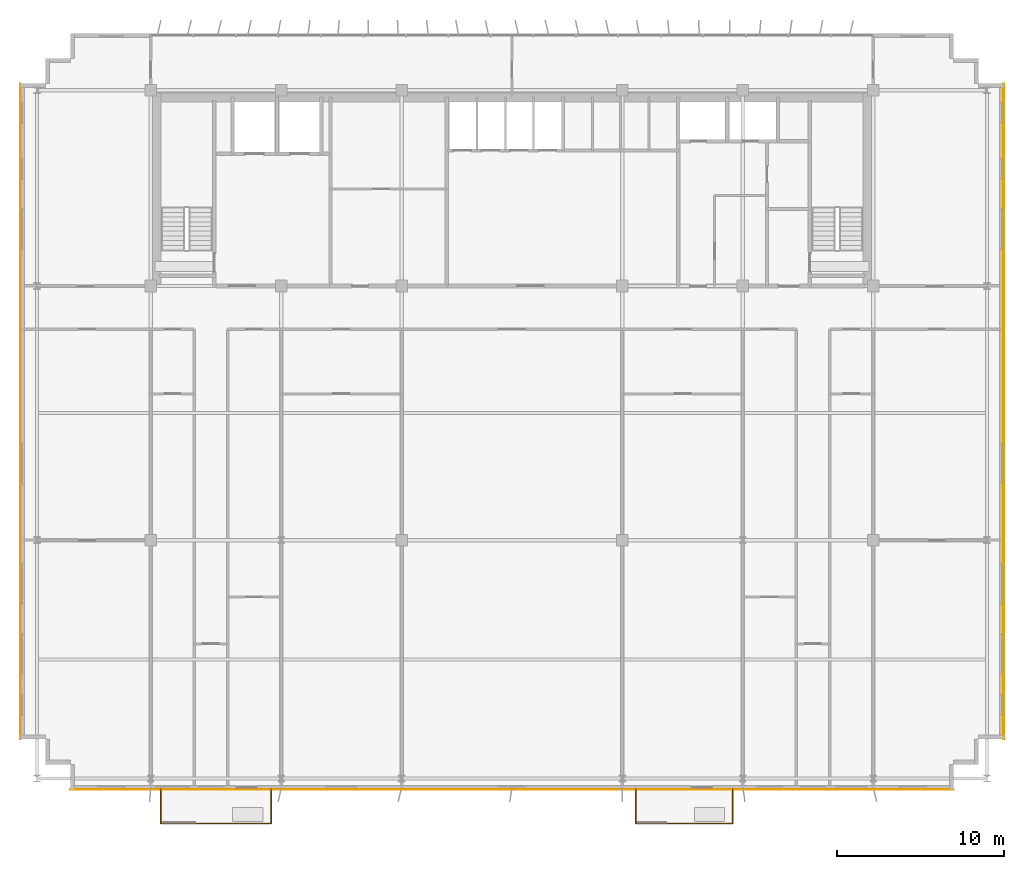
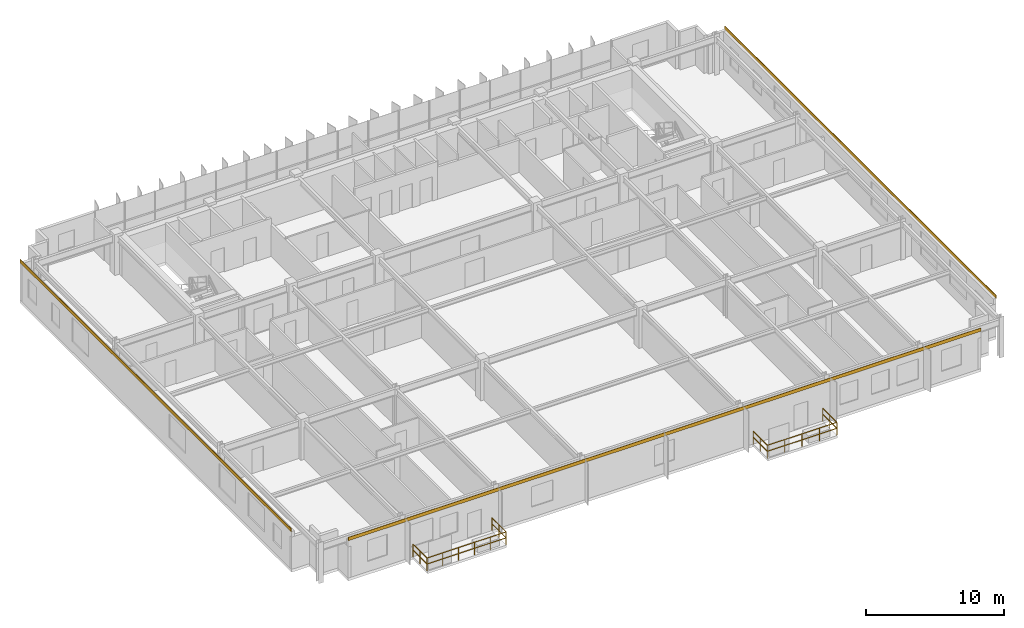
# One storey, part 19 of 20: 6 railings, 3 coverings.
"""IFC4 building model written with IfcOpenShell, lengths in metres."""

from ifc_helpers import new_model, si_unit, direction, frame, origin, origin_2d, place, context, subcontext, project, spatial, rectangle, extrude, source, transform, mapped, material, layer, layer_set, type_object, element, save


model = new_model("IFC4")

# Units and contexts
model_context = context("Model", 3, precision=1e-05, world=origin(), true_north=direction((0.0, 1.0)))
body_context = subcontext(model_context, "Body", "Model", "MODEL_VIEW")
ifc_project = project(units=[si_unit("LENGTHUNIT", "METRE"), si_unit("AREAUNIT", "SQUARE_METRE"), si_unit("VOLUMEUNIT", "CUBIC_METRE"), si_unit("PLANEANGLEUNIT", "RADIAN"), si_unit("MASSUNIT", "GRAM", prefix="KILO")], contexts=[model_context])

# Site, building, storey
site_placement = place(None, origin())
site = spatial("IfcSite", under=ifc_project, at=site_placement, CompositionType="ELEMENT")
building_placement = place(site_placement, origin())
building = spatial("IfcBuilding", under=site, at=building_placement, Name="Trelvane Seafront Commons", CompositionType="ELEMENT")
storey_placement = place(building_placement, frame((0.0, 0.0, 150.10009765625)))
storey = spatial("IfcBuildingStorey", under=building, at=storey_placement, Name="L39", CompositionType="ELEMENT", Elevation=150.10009765625)

# Railings
ifc_material_1 = material(Name="Stainless steel balustrade", Category="steel")
railing_type = type_object("IfcRailingType", Name="ARCH-RAIL-BAL1150", PredefinedType="BALUSTRADE", material=ifc_material_1)
railing_1_placement = place(storey_placement, frame((16.199951171875, 3.300048828125, 0.0)))
element("IfcRailing", 1, at=railing_1_placement, inside=storey, type_object=railing_type, Name="RL-L39-BAL0-01", PredefinedType="BALUSTRADE", context=body_context, shape_type="SweptSolid", body=[
    extrude(rectangle(XDim=0.048095703125, YDim=0.048095703125, at=origin_2d()), frame((0.0, 0.0, 1.1259765625), z_axis=(0.0, -1.0, 0.0), x_axis=(1.0, 0.0, 0.0)), (0.0, 0.0, 1.0), 2.0400390625),
    extrude(rectangle(XDim=0.048095703125, YDim=0.048095703125, at=origin_2d()), frame((0.0, 0.0, 0.597900390625), z_axis=(0.0, -1.0, 0.0), x_axis=(1.0, 0.0, 0.0)), (0.0, 0.0, 1.0), 2.0400390625),
    extrude(rectangle(XDim=0.0419921875, YDim=0.0419921875, at=origin_2d()), origin(), (0.0, 0.0, 1.0), 1.1259765625),
    extrude(rectangle(XDim=0.0419921875, YDim=0.0419921875, at=origin_2d()), frame((0.0, -1.02001953125, 0.0)), (0.0, 0.0, 1.0), 1.1259765625),
    extrude(rectangle(XDim=0.0419921875, YDim=0.0419921875, at=origin_2d()), frame((0.0, -2.0400390625, 0.0)), (0.0, 0.0, 1.0), 1.1259765625),
])
railing_2_placement = place(storey_placement, frame((16.199951171875, 1.260009765625, 0.0)))
element("IfcRailing", 2, at=railing_2_placement, inside=storey, type_object=railing_type, Name="RL-L39-BAL0-02", PredefinedType="BALUSTRADE", context=body_context, shape_type="SweptSolid", body=[
    extrude(rectangle(XDim=0.048095703125, YDim=0.048095703125, at=origin_2d()), frame((0.0, 0.0, 1.1259765625), z_axis=(1.0, 0.0, 0.0), x_axis=(0.0, 1.0, 0.0)), (0.0, 0.0, 1.0), 6.60009765625),
    extrude(rectangle(XDim=0.048095703125, YDim=0.048095703125, at=origin_2d()), frame((0.0, 0.0, 0.597900390625), z_axis=(1.0, 0.0, 0.0), x_axis=(0.0, 1.0, 0.0)), (0.0, 0.0, 1.0), 6.60009765625),
    extrude(rectangle(XDim=0.0419921875, YDim=0.0419921875, at=origin_2d()), origin(), (0.0, 0.0, 1.0), 1.1259765625),
    extrude(rectangle(XDim=0.0419921875, YDim=0.0419921875, at=origin_2d()), frame((1.320068359375, 0.0, 0.0)), (0.0, 0.0, 1.0), 1.1259765625),
    extrude(rectangle(XDim=0.0419921875, YDim=0.0419921875, at=origin_2d()), frame((2.64013671875, 0.0, 0.0)), (0.0, 0.0, 1.0), 1.1259765625),
    extrude(rectangle(XDim=0.0419921875, YDim=0.0419921875, at=origin_2d()), frame((3.9599609375, 0.0, 0.0)), (0.0, 0.0, 1.0), 1.1259765625),
    extrude(rectangle(XDim=0.0419921875, YDim=0.0419921875, at=origin_2d()), frame((5.280029296875, 0.0, 0.0)), (0.0, 0.0, 1.0), 1.1259765625),
    extrude(rectangle(XDim=0.0419921875, YDim=0.0419921875, at=origin_2d()), frame((6.60009765625, 0.0, 0.0)), (0.0, 0.0, 1.0), 1.1259765625),
])
railing_3_placement = place(storey_placement, frame((22.800048828125, 1.260009765625, 0.0)))
element("IfcRailing", 3, at=railing_3_placement, inside=storey, type_object=railing_type, Name="RL-L39-BAL0-03", PredefinedType="BALUSTRADE", context=body_context, shape_type="SweptSolid", body=[
    extrude(rectangle(XDim=0.048095703125, YDim=0.048095703125, at=origin_2d()), frame((0.0, 0.0, 1.1259765625), z_axis=(0.0, 1.0, 0.0), x_axis=(-1.0, 0.0, 0.0)), (0.0, 0.0, 1.0), 2.0400390625),
    extrude(rectangle(XDim=0.048095703125, YDim=0.048095703125, at=origin_2d()), frame((0.0, 0.0, 0.597900390625), z_axis=(0.0, 1.0, 0.0), x_axis=(-1.0, 0.0, 0.0)), (0.0, 0.0, 1.0), 2.0400390625),
    extrude(rectangle(XDim=0.0419921875, YDim=0.0419921875, at=origin_2d()), origin(), (0.0, 0.0, 1.0), 1.1259765625),
    extrude(rectangle(XDim=0.0419921875, YDim=0.0419921875, at=origin_2d()), frame((0.0, 1.02001953125, 0.0)), (0.0, 0.0, 1.0), 1.1259765625),
    extrude(rectangle(XDim=0.0419921875, YDim=0.0419921875, at=origin_2d()), frame((0.0, 2.0400390625, 0.0)), (0.0, 0.0, 1.0), 1.1259765625),
])
railing_4_placement = place(storey_placement, frame((44.60009765625, 3.300048828125, 0.0)))
element("IfcRailing", 4, at=railing_4_placement, inside=storey, type_object=railing_type, Name="RL-L39-BAL1-01", PredefinedType="BALUSTRADE", context=body_context, shape_type="SweptSolid", body=[
    extrude(rectangle(XDim=0.048095703125, YDim=0.048095703125, at=origin_2d()), frame((0.0, 0.0, 1.1259765625), z_axis=(0.0, -1.0, 0.0), x_axis=(1.0, 0.0, 0.0)), (0.0, 0.0, 1.0), 2.0400390625),
    extrude(rectangle(XDim=0.048095703125, YDim=0.048095703125, at=origin_2d()), frame((0.0, 0.0, 0.597900390625), z_axis=(0.0, -1.0, 0.0), x_axis=(1.0, 0.0, 0.0)), (0.0, 0.0, 1.0), 2.0400390625),
    extrude(rectangle(XDim=0.0419921875, YDim=0.0419921875, at=origin_2d()), origin(), (0.0, 0.0, 1.0), 1.1259765625),
    extrude(rectangle(XDim=0.0419921875, YDim=0.0419921875, at=origin_2d()), frame((0.0, -1.02001953125, 0.0)), (0.0, 0.0, 1.0), 1.1259765625),
    extrude(rectangle(XDim=0.0419921875, YDim=0.0419921875, at=origin_2d()), frame((0.0, -2.0400390625, 0.0)), (0.0, 0.0, 1.0), 1.1259765625),
])
railing_5_placement = place(storey_placement, frame((44.60009765625, 1.260009765625, 0.0)))
element("IfcRailing", 5, at=railing_5_placement, inside=storey, type_object=railing_type, Name="RL-L39-BAL1-02", PredefinedType="BALUSTRADE", context=body_context, shape_type="SweptSolid", body=[
    extrude(rectangle(XDim=0.048095703125, YDim=0.048095703125, at=origin_2d()), frame((0.0, 0.0, 1.1259765625), z_axis=(1.0, 0.0, 0.0), x_axis=(0.0, 1.0, 0.0)), (0.0, 0.0, 1.0), 5.7998046875),
    extrude(rectangle(XDim=0.048095703125, YDim=0.048095703125, at=origin_2d()), frame((0.0, 0.0, 0.597900390625), z_axis=(1.0, 0.0, 0.0), x_axis=(0.0, 1.0, 0.0)), (0.0, 0.0, 1.0), 5.7998046875),
    extrude(rectangle(XDim=0.0419921875, YDim=0.0419921875, at=origin_2d()), origin(), (0.0, 0.0, 1.0), 1.1259765625),
    extrude(rectangle(XDim=0.0419921875, YDim=0.0419921875, at=origin_2d()), frame((1.449951171875, 0.0, 0.0)), (0.0, 0.0, 1.0), 1.1259765625),
    extrude(rectangle(XDim=0.0419921875, YDim=0.0419921875, at=origin_2d()), frame((2.89990234375, 0.0, 0.0)), (0.0, 0.0, 1.0), 1.1259765625),
    extrude(rectangle(XDim=0.0419921875, YDim=0.0419921875, at=origin_2d()), frame((4.349853515625, 0.0, 0.0)), (0.0, 0.0, 1.0), 1.1259765625),
    extrude(rectangle(XDim=0.0419921875, YDim=0.0419921875, at=origin_2d()), frame((5.7998046875, 0.0, 0.0)), (0.0, 0.0, 1.0), 1.1259765625),
])
railing_6_placement = place(storey_placement, frame((50.39990234375, 1.260009765625, 0.0)))
element("IfcRailing", 6, at=railing_6_placement, inside=storey, type_object=railing_type, Name="RL-L39-BAL1-03", PredefinedType="BALUSTRADE", context=body_context, shape_type="SweptSolid", body=[
    extrude(rectangle(XDim=0.048095703125, YDim=0.048095703125, at=origin_2d()), frame((0.0, 0.0, 1.1259765625), z_axis=(0.0, 1.0, 0.0), x_axis=(-1.0, 0.0, 0.0)), (0.0, 0.0, 1.0), 2.0400390625),
    extrude(rectangle(XDim=0.048095703125, YDim=0.048095703125, at=origin_2d()), frame((0.0, 0.0, 0.597900390625), z_axis=(0.0, 1.0, 0.0), x_axis=(-1.0, 0.0, 0.0)), (0.0, 0.0, 1.0), 2.0400390625),
    extrude(rectangle(XDim=0.0419921875, YDim=0.0419921875, at=origin_2d()), origin(), (0.0, 0.0, 1.0), 1.1259765625),
    extrude(rectangle(XDim=0.0419921875, YDim=0.0419921875, at=origin_2d()), frame((0.0, 1.02001953125, 0.0)), (0.0, 0.0, 1.0), 1.1259765625),
    extrude(rectangle(XDim=0.0419921875, YDim=0.0419921875, at=origin_2d()), frame((0.0, 2.0400390625, 0.0)), (0.0, 0.0, 1.0), 1.1259765625),
])

# Coverings
ifc_material_2 = material(Name="Anodised pale-silver aluminium", Category="aluminium")
ifc_layer = layer(ifc_material_2, 0.034912109375, Name="ARCH-COV-CLAD35")
ifc_layer_set = layer_set([ifc_layer], Name="Anodised pale-silver aluminium")
covering_type = type_object("IfcCoveringType", Name="ARCH-COV-CLAD35", PredefinedType="CLADDING", material=ifc_layer_set)
shared_shape_1 = source(origin(), body_context, "Body", "SweptSolid", [
    extrude(rectangle(XDim=39.199951171875, YDim=0.034912109375, at=origin_2d()), origin(), (0.0, 0.0, 1.0), 0.2900390625),
])
for number, where, z_axis, x_axis, name in (
    (7, (7.800048828125, 25.89990234375, 3.309814453125), (0.0, 0.0, 1.0), (0.0, 1.0, 0.0), "CLD-L39-00158"),
    (8, (66.60009765625, 25.89990234375, 3.309814453125), (0.0, 0.0, 1.0), (0.0, -1.0, 0.0), "CLD-L39-00159"),
):
    element("IfcCovering", number, at=place(storey_placement, frame(where, z_axis=z_axis, x_axis=x_axis)), inside=storey, type_object=covering_type, Name=name, PredefinedType="CLADDING", context=body_context, shape_type="MappedRepresentation", body=[
        mapped(shared_shape_1, transform((0.0, 0.0, 0.0), x_axis=(1.0, 0.0, 0.0), y_axis=(0.0, 1.0, 0.0), z_axis=(0.0, 0.0, 1.0), scale=1.0)),
    ])
shared_shape_2 = source(origin(), body_context, "Body", "SweptSolid", [
    extrude(rectangle(XDim=52.800048828125, YDim=0.034912109375, at=origin_2d()), origin(), (0.0, 0.0, 1.0), 0.2900390625),
])
covering_placement = place(storey_placement, frame((37.199951171875, 3.300048828125, 3.309814453125), z_axis=(0.0, 0.0, 1.0), x_axis=(-1.0, 0.0, 0.0)))
element("IfcCovering", 9, at=covering_placement, inside=storey, type_object=covering_type, Name="CLD-L39-00160", PredefinedType="CLADDING", context=body_context, shape_type="MappedRepresentation", body=[
    mapped(shared_shape_2, transform((0.0, 0.0, 0.0), x_axis=(1.0, 0.0, 0.0), y_axis=(0.0, 1.0, 0.0), z_axis=(0.0, 0.0, 1.0), scale=1.0)),
])

save(model, "model.ifc")
